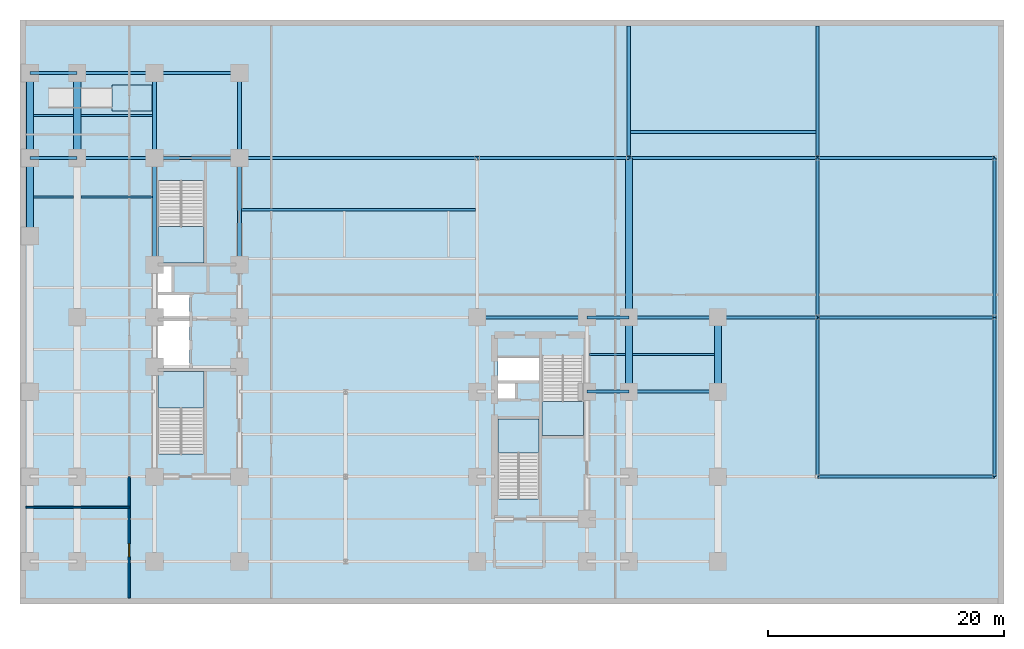
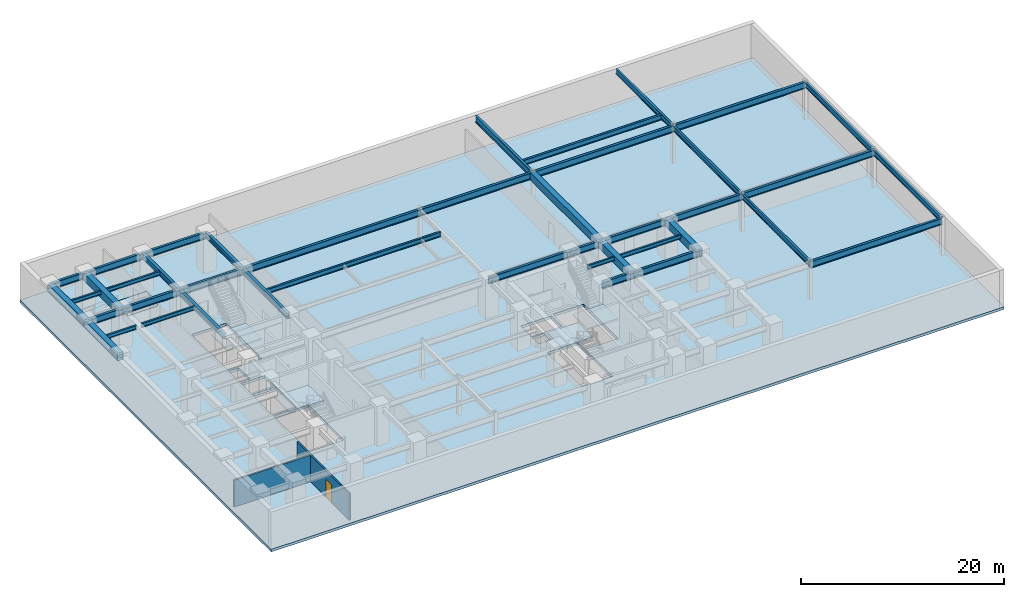
# One storey, part 4 of 9: 42 beams, 6 slabs, 2 walls, 1 door, 1 opening, 4 elements without a shape of their own.
"""IFC4 building model written with IfcOpenShell, lengths in metres."""

from ifc_helpers import new_model, entity, si_unit, converted_unit, direction, frame, origin_with_axes, origin_2d_with_axis, place, context, subcontext, project, spatial, polyline, rectangle, i_section, outline, extrude, material, layer, layer_set, material_profile, profile_set, type_object, element, fill, aggregate, save


model = new_model("IFC4")

# Units and contexts
model_context = context("Model", 3, precision=1e-05, world=origin_with_axes(), true_north=direction((0.0, 1.0)))
body_context = subcontext(model_context, "Body", "Model", "MODEL_VIEW")
ifc_project = project(units=[si_unit("LENGTHUNIT", "METRE"), si_unit("AREAUNIT", "SQUARE_METRE"), si_unit("VOLUMEUNIT", "CUBIC_METRE"), converted_unit("PLANEANGLEUNIT", "DEGREE", entity("IfcPlaneAngleMeasure", 0.017453292519943295), si_unit("PLANEANGLEUNIT", "RADIAN"), dimensions=[0, 0, 0, 0, 0, 0, 0]), si_unit("MASSUNIT", "GRAM", prefix="KILO"), si_unit("THERMODYNAMICTEMPERATUREUNIT", "KELVIN")], contexts=[model_context])

# Site, building, storey
site_placement = place(None, origin_with_axes())
site = spatial("IfcSite", under=ifc_project, at=site_placement, CompositionType="ELEMENT")
building_placement = place(site_placement, origin_with_axes())
building = spatial("IfcBuilding", under=site, at=building_placement, Name="Varnlund Millrace Tower", CompositionType="ELEMENT")
storey_placement = place(building_placement, frame((0.0, 0.0, -4.8), z_axis=(0.0, 0.0, 1.0), x_axis=(1.0, 0.0, 0.0)))
storey = spatial("IfcBuildingStorey", under=building, at=storey_placement, Name="B1", CompositionType="ELEMENT", Elevation=-4.8)

# Beams
ifc_material_1 = material(Name="Steel ASTM A992 Grade 50", Category="steel")
ifc_material_profile_1 = material_profile(ifc_material_1, i_section(OverallWidth=0.214, OverallDepth=0.549, WebThickness=0.0147, FlangeThickness=0.0236, FilletRadius=0.015, at=origin_2d_with_axis()), Name="Steel ASTM A992 Grade 50")
ifc_profile_set_1 = profile_set([ifc_material_profile_1], Name="Steel ASTM A992 Grade 50")
beam_type_1 = type_object("IfcBeamType", Name="Type-Beam-W21X93", PredefinedType="BEAM", material=ifc_profile_set_1)
beam_1_placement = place(storey_placement, frame((18.764, 33.425, 4.2055), z_axis=(1.0, 0.0, 0.0), x_axis=(0.0, 1.0, 0.0)))
element("IfcBeam", 1, at=beam_1_placement, inside=storey, type_object=beam_type_1, Name="Type-Beam-W21X93", PredefinedType="BEAM", context=body_context, shape_type="SweptSolid", body=[
    extrude(i_section(OverallWidth=0.214, OverallDepth=0.549, WebThickness=0.0147, FlangeThickness=0.0236, FilletRadius=0.015, at=origin_2d_with_axis()), origin_with_axes(), (0.0, 0.0, 1.0), 19.822),
])
ifc_material_profile_2 = material_profile(ifc_material_1, i_section(OverallWidth=0.228, OverallDepth=0.607, WebThickness=0.0112, FlangeThickness=0.0173, FilletRadius=0.015, at=origin_2d_with_axis()), Name="Steel ASTM A992 Grade 50")
ifc_profile_set_2 = profile_set([ifc_material_profile_2], Name="Steel ASTM A992 Grade 50")
beam_type_2 = type_object("IfcBeamType", Name="Type-Beam-W24X76", PredefinedType="BEAM", material=ifc_profile_set_2)
beam_2_placement = place(storey_placement, frame((67.6, 38.0, 4.1765), z_axis=(0.0, 1.0, 0.0), x_axis=(-1.0, 0.0, 0.0)))
element("IfcBeam", 2, at=beam_2_placement, inside=storey, type_object=beam_type_2, Name="Type-Beam-W24X76", PredefinedType="BEAM", context=body_context, shape_type="SweptSolid", body=[
    extrude(i_section(OverallWidth=0.228, OverallDepth=0.607, WebThickness=0.0112, FlangeThickness=0.0173, FilletRadius=0.015, at=origin_2d_with_axis()), origin_with_axes(), (0.0, 0.0, 1.0), 11.0),
])
beam_3_placement = place(storey_placement, frame((51.74, 40.0, 4.1765), z_axis=(1.0, 0.0, 0.0), x_axis=(0.0, 1.0, 0.0)))
element("IfcBeam", 3, at=beam_3_placement, inside=storey, type_object=beam_type_2, Name="Type-Beam-W24X76", PredefinedType="BEAM", context=body_context, shape_type="SweptSolid", body=[
    extrude(i_section(OverallWidth=0.228, OverallDepth=0.607, WebThickness=0.0112, FlangeThickness=0.0173, FilletRadius=0.015, at=origin_2d_with_axis()), origin_with_axes(), (0.0, 0.0, 1.0), 15.74),
])
for number, where, z_axis, x_axis, name in (
    (4, (67.6, 10.8, 4.1765), (0.0, 1.0, 0.0), (-1.0, 0.0, 0.0), "Type-Beam-W24X76"),
    (5, (67.6, 24.3, 4.1765), (0.0, 1.0, 0.0), (-1.0, 0.0, 0.0), "Type-Beam-W24X76"),
    (6, (82.6, 10.8, 4.1765), (0.0, 1.0, 0.0), (-1.0, 0.0, 0.0), "Type-Beam-W24X76"),
    (7, (82.6, 24.3, 4.1765), (0.0, 1.0, 0.0), (-1.0, 0.0, 0.0), "Type-Beam-W24X76"),
):
    element("IfcBeam", number, at=place(storey_placement, frame(where, z_axis=z_axis, x_axis=x_axis)), inside=storey, type_object=beam_type_2, Name=name, PredefinedType="BEAM", context=body_context, shape_type="SweptSolid", body=[
        extrude(i_section(OverallWidth=0.228, OverallDepth=0.607, WebThickness=0.0112, FlangeThickness=0.0173, FilletRadius=0.015, at=origin_2d_with_axis()), origin_with_axes(), (0.0, 0.0, 1.0), 13.5),
    ])
ifc_material_profile_3 = material_profile(ifc_material_1, i_section(OverallWidth=0.328, OverallDepth=0.628, WebThickness=0.0165, FlangeThickness=0.0277, FilletRadius=0.018, at=origin_2d_with_axis()), Name="Steel ASTM A992 Grade 50")
ifc_profile_set_3 = profile_set([ifc_material_profile_3], Name="Steel ASTM A992 Grade 50")
beam_type_3 = type_object("IfcBeamType", Name="Type-Girder-W24X146", PredefinedType="USERDEFINED", material=ifc_profile_set_3)
beam_4_placement = place(storey_placement, frame((11.4, 28.75, 4.166), z_axis=(0.0, 1.0, 0.0), x_axis=(-1.0, 0.0, 0.0)))
element("IfcBeam", 8, at=beam_4_placement, inside=storey, type_object=beam_type_3, Name="Type-Girder-W24X146", ObjectType="GIRDER", PredefinedType="USERDEFINED", context=body_context, shape_type="SweptSolid", body=[
    extrude(i_section(OverallWidth=0.328, OverallDepth=0.628, WebThickness=0.0165, FlangeThickness=0.0277, FilletRadius=0.018, at=origin_2d_with_axis()), origin_with_axes(), (0.0, 0.0, 1.0), 9.05),
])
beam_5_placement = place(storey_placement, frame((11.4, 37.8, 4.166), z_axis=(0.0, 1.0, 0.0), x_axis=(-1.0, 0.0, 0.0)))
element("IfcBeam", 9, at=beam_5_placement, inside=storey, type_object=beam_type_3, Name="Type-Girder-W24X146", ObjectType="GIRDER", PredefinedType="USERDEFINED", context=body_context, shape_type="SweptSolid", body=[
    extrude(i_section(OverallWidth=0.328, OverallDepth=0.628, WebThickness=0.0165, FlangeThickness=0.0277, FilletRadius=0.018, at=origin_2d_with_axis()), origin_with_axes(), (0.0, 0.0, 1.0), 7.2),
])
beam_6_placement = place(storey_placement, frame((18.6, 28.75, 4.166), z_axis=(0.0, 1.0, 0.0), x_axis=(-1.0, 0.0, 0.0)))
element("IfcBeam", 10, at=beam_6_placement, inside=storey, type_object=beam_type_3, Name="Type-Girder-W24X146", ObjectType="GIRDER", PredefinedType="USERDEFINED", context=body_context, shape_type="SweptSolid", body=[
    extrude(i_section(OverallWidth=0.328, OverallDepth=0.628, WebThickness=0.0165, FlangeThickness=0.0277, FilletRadius=0.018, at=origin_2d_with_axis()), origin_with_axes(), (0.0, 0.0, 1.0), 9.05),
])
beam_7_placement = place(storey_placement, frame((18.6, 37.8, 4.166), z_axis=(0.0, 1.0, 0.0), x_axis=(-1.0, 0.0, 0.0)))
element("IfcBeam", 11, at=beam_7_placement, inside=storey, type_object=beam_type_3, Name="Type-Girder-W24X146", ObjectType="GIRDER", PredefinedType="USERDEFINED", context=body_context, shape_type="SweptSolid", body=[
    extrude(i_section(OverallWidth=0.328, OverallDepth=0.628, WebThickness=0.0165, FlangeThickness=0.0277, FilletRadius=0.018, at=origin_2d_with_axis()), origin_with_axes(), (0.0, 0.0, 1.0), 7.2),
])
ifc_material_profile_4 = material_profile(ifc_material_1, i_section(OverallWidth=0.266, OverallDepth=0.779, WebThickness=0.0165, FlangeThickness=0.03, FilletRadius=0.02, at=origin_2d_with_axis()), Name="Steel ASTM A992 Grade 50")
ifc_profile_set_4 = profile_set([ifc_material_profile_4], Name="Steel ASTM A992 Grade 50")
beam_type_4 = type_object("IfcBeamType", Name="Type-Girder-W30X148", PredefinedType="USERDEFINED", material=ifc_profile_set_4)
beam_8_placement = place(storey_placement, frame((51.6, 38.0, 4.0905), z_axis=(0.0, 1.0, 0.0), x_axis=(-1.0, 0.0, 0.0)))
element("IfcBeam", 12, at=beam_8_placement, inside=storey, type_object=beam_type_4, Name="Type-Girder-W30X148", ObjectType="GIRDER", PredefinedType="USERDEFINED", context=body_context, shape_type="SweptSolid", body=[
    extrude(i_section(OverallWidth=0.266, OverallDepth=0.779, WebThickness=0.0165, FlangeThickness=0.03, FilletRadius=0.02, at=origin_2d_with_axis()), origin_with_axes(), (0.0, 0.0, 1.0), 11.0),
])
beam_9_placement = place(storey_placement, frame((67.6, 10.8, 4.0905), z_axis=(1.0, 0.0, 0.0), x_axis=(0.0, 1.0, 0.0)))
element("IfcBeam", 13, at=beam_9_placement, inside=storey, type_object=beam_type_4, Name="Type-Girder-W30X148", ObjectType="GIRDER", PredefinedType="USERDEFINED", context=body_context, shape_type="SweptSolid", body=[
    extrude(i_section(OverallWidth=0.266, OverallDepth=0.779, WebThickness=0.0165, FlangeThickness=0.03, FilletRadius=0.02, at=origin_2d_with_axis()), origin_with_axes(), (0.0, 0.0, 1.0), 15.0),
])
beam_10_placement = place(storey_placement, frame((48.05, 18.0, 4.0905), z_axis=(1.0, 0.0, 0.0), x_axis=(0.0, 1.0, 0.0)))
element("IfcBeam", 14, at=beam_10_placement, inside=storey, type_object=beam_type_4, Name="Type-Girder-W30X148", ObjectType="GIRDER", PredefinedType="USERDEFINED", context=body_context, shape_type="SweptSolid", body=[
    extrude(i_section(OverallWidth=0.266, OverallDepth=0.779, WebThickness=0.0165, FlangeThickness=0.03, FilletRadius=0.02, at=origin_2d_with_axis()), origin_with_axes(), (0.0, 0.0, 1.0), 3.55),
])
beam_11_placement = place(storey_placement, frame((51.6, 18.0, 4.0905), z_axis=(1.0, 0.0, 0.0), x_axis=(0.0, 1.0, 0.0)))
element("IfcBeam", 15, at=beam_11_placement, inside=storey, type_object=beam_type_4, Name="Type-Girder-W30X148", ObjectType="GIRDER", PredefinedType="USERDEFINED", context=body_context, shape_type="SweptSolid", body=[
    extrude(i_section(OverallWidth=0.266, OverallDepth=0.779, WebThickness=0.0165, FlangeThickness=0.03, FilletRadius=0.02, at=origin_2d_with_axis()), origin_with_axes(), (0.0, 0.0, 1.0), 7.55),
])
beam_12_placement = place(storey_placement, frame((38.75, 24.3, 4.0905), z_axis=(1.0, 0.0, 0.0), x_axis=(0.0, 1.0, 0.0)))
element("IfcBeam", 16, at=beam_12_placement, inside=storey, type_object=beam_type_4, Name="Type-Girder-W30X148", ObjectType="GIRDER", PredefinedType="USERDEFINED", context=body_context, shape_type="SweptSolid", body=[
    extrude(i_section(OverallWidth=0.266, OverallDepth=0.779, WebThickness=0.0165, FlangeThickness=0.03, FilletRadius=0.02, at=origin_2d_with_axis()), origin_with_axes(), (0.0, 0.0, 1.0), 9.3),
])
beam_13_placement = place(storey_placement, frame((48.05, 24.3, 4.0905), z_axis=(1.0, 0.0, 0.0), x_axis=(0.0, 1.0, 0.0)))
element("IfcBeam", 17, at=beam_13_placement, inside=storey, type_object=beam_type_4, Name="Type-Girder-W30X148", ObjectType="GIRDER", PredefinedType="USERDEFINED", context=body_context, shape_type="SweptSolid", body=[
    extrude(i_section(OverallWidth=0.266, OverallDepth=0.779, WebThickness=0.0165, FlangeThickness=0.03, FilletRadius=0.02, at=origin_2d_with_axis()), origin_with_axes(), (0.0, 0.0, 1.0), 3.55),
])
beam_14_placement = place(storey_placement, frame((51.6, 24.3, 4.0905), z_axis=(1.0, 0.0, 0.0), x_axis=(0.0, 1.0, 0.0)))
element("IfcBeam", 18, at=beam_14_placement, inside=storey, type_object=beam_type_4, Name="Type-Girder-W30X148", ObjectType="GIRDER", PredefinedType="USERDEFINED", context=body_context, shape_type="SweptSolid", body=[
    extrude(i_section(OverallWidth=0.266, OverallDepth=0.779, WebThickness=0.0165, FlangeThickness=0.03, FilletRadius=0.02, at=origin_2d_with_axis()), origin_with_axes(), (0.0, 0.0, 1.0), 7.55),
])
beam_15_placement = place(storey_placement, frame((59.15, 24.3, 4.0905), z_axis=(1.0, 0.0, 0.0), x_axis=(0.0, 1.0, 0.0)))
element("IfcBeam", 19, at=beam_15_placement, inside=storey, type_object=beam_type_4, Name="Type-Girder-W30X148", ObjectType="GIRDER", PredefinedType="USERDEFINED", context=body_context, shape_type="SweptSolid", body=[
    extrude(i_section(OverallWidth=0.266, OverallDepth=0.779, WebThickness=0.0165, FlangeThickness=0.03, FilletRadius=0.02, at=origin_2d_with_axis()), origin_with_axes(), (0.0, 0.0, 1.0), 8.45),
])
beam_16_placement = place(storey_placement, frame((67.6, 24.3, 4.0905), z_axis=(1.0, 0.0, 0.0), x_axis=(0.0, 1.0, 0.0)))
element("IfcBeam", 20, at=beam_16_placement, inside=storey, type_object=beam_type_4, Name="Type-Girder-W30X148", ObjectType="GIRDER", PredefinedType="USERDEFINED", context=body_context, shape_type="SweptSolid", body=[
    extrude(i_section(OverallWidth=0.266, OverallDepth=0.779, WebThickness=0.0165, FlangeThickness=0.03, FilletRadius=0.02, at=origin_2d_with_axis()), origin_with_axes(), (0.0, 0.0, 1.0), 15.0),
])
beam_17_placement = place(storey_placement, frame((0.85, 37.8, 4.0905), z_axis=(1.0, 0.0, 0.0), x_axis=(0.0, 1.0, 0.0)))
element("IfcBeam", 21, at=beam_17_placement, inside=storey, type_object=beam_type_4, Name="Type-Girder-W30X148", ObjectType="GIRDER", PredefinedType="USERDEFINED", context=body_context, shape_type="SweptSolid", body=[
    extrude(i_section(OverallWidth=0.266, OverallDepth=0.779, WebThickness=0.0165, FlangeThickness=0.03, FilletRadius=0.02, at=origin_2d_with_axis()), origin_with_axes(), (0.0, 0.0, 1.0), 4.0),
])
beam_18_placement = place(storey_placement, frame((4.85, 37.8, 4.0905), z_axis=(1.0, 0.0, 0.0), x_axis=(0.0, 1.0, 0.0)))
element("IfcBeam", 22, at=beam_18_placement, inside=storey, type_object=beam_type_4, Name="Type-Girder-W30X148", ObjectType="GIRDER", PredefinedType="USERDEFINED", context=body_context, shape_type="SweptSolid", body=[
    extrude(i_section(OverallWidth=0.266, OverallDepth=0.779, WebThickness=0.0165, FlangeThickness=0.03, FilletRadius=0.02, at=origin_2d_with_axis()), origin_with_axes(), (0.0, 0.0, 1.0), 6.55),
])
beam_19_placement = place(storey_placement, frame((11.4, 37.8, 4.0905), z_axis=(1.0, 0.0, 0.0), x_axis=(0.0, 1.0, 0.0)))
element("IfcBeam", 23, at=beam_19_placement, inside=storey, type_object=beam_type_4, Name="Type-Girder-W30X148", ObjectType="GIRDER", PredefinedType="USERDEFINED", context=body_context, shape_type="SweptSolid", body=[
    extrude(i_section(OverallWidth=0.266, OverallDepth=0.779, WebThickness=0.0165, FlangeThickness=0.03, FilletRadius=0.02, at=origin_2d_with_axis()), origin_with_axes(), (0.0, 0.0, 1.0), 7.2),
])
beam_20_placement = place(storey_placement, frame((18.6, 37.8, 4.0905), z_axis=(1.0, 0.0, 0.0), x_axis=(0.0, 1.0, 0.0)))
element("IfcBeam", 24, at=beam_20_placement, inside=storey, type_object=beam_type_4, Name="Type-Girder-W30X148", ObjectType="GIRDER", PredefinedType="USERDEFINED", context=body_context, shape_type="SweptSolid", body=[
    extrude(i_section(OverallWidth=0.266, OverallDepth=0.779, WebThickness=0.0165, FlangeThickness=0.03, FilletRadius=0.02, at=origin_2d_with_axis()), origin_with_axes(), (0.0, 0.0, 1.0), 20.15),
])
beam_21_placement = place(storey_placement, frame((38.75, 37.8, 4.0905), z_axis=(1.0, 0.0, 0.0), x_axis=(0.0, 1.0, 0.0)))
element("IfcBeam", 25, at=beam_21_placement, inside=storey, type_object=beam_type_4, Name="Type-Girder-W30X148", ObjectType="GIRDER", PredefinedType="USERDEFINED", context=body_context, shape_type="SweptSolid", body=[
    extrude(i_section(OverallWidth=0.266, OverallDepth=0.779, WebThickness=0.0165, FlangeThickness=0.03, FilletRadius=0.02, at=origin_2d_with_axis()), origin_with_axes(), (0.0, 0.0, 1.0), 12.85),
])
beam_22_placement = place(storey_placement, frame((51.6, 37.8, 4.0905), z_axis=(1.0, 0.0, 0.0), x_axis=(0.0, 1.0, 0.0)))
element("IfcBeam", 26, at=beam_22_placement, inside=storey, type_object=beam_type_4, Name="Type-Girder-W30X148", ObjectType="GIRDER", PredefinedType="USERDEFINED", context=body_context, shape_type="SweptSolid", body=[
    extrude(i_section(OverallWidth=0.266, OverallDepth=0.779, WebThickness=0.0165, FlangeThickness=0.03, FilletRadius=0.02, at=origin_2d_with_axis()), origin_with_axes(), (0.0, 0.0, 1.0), 16.0),
])
beam_23_placement = place(storey_placement, frame((67.6, 37.8, 4.0905), z_axis=(1.0, 0.0, 0.0), x_axis=(0.0, 1.0, 0.0)))
element("IfcBeam", 27, at=beam_23_placement, inside=storey, type_object=beam_type_4, Name="Type-Girder-W30X148", ObjectType="GIRDER", PredefinedType="USERDEFINED", context=body_context, shape_type="SweptSolid", body=[
    extrude(i_section(OverallWidth=0.266, OverallDepth=0.779, WebThickness=0.0165, FlangeThickness=0.03, FilletRadius=0.02, at=origin_2d_with_axis()), origin_with_axes(), (0.0, 0.0, 1.0), 15.0),
])
beam_24_placement = place(storey_placement, frame((0.85, 45.0, 4.0905), z_axis=(1.0, 0.0, 0.0), x_axis=(0.0, 1.0, 0.0)))
element("IfcBeam", 28, at=beam_24_placement, inside=storey, type_object=beam_type_4, Name="Type-Girder-W30X148", ObjectType="GIRDER", PredefinedType="USERDEFINED", context=body_context, shape_type="SweptSolid", body=[
    extrude(i_section(OverallWidth=0.266, OverallDepth=0.779, WebThickness=0.0165, FlangeThickness=0.03, FilletRadius=0.02, at=origin_2d_with_axis()), origin_with_axes(), (0.0, 0.0, 1.0), 4.0),
])
beam_25_placement = place(storey_placement, frame((4.85, 45.0, 4.0905), z_axis=(1.0, 0.0, 0.0), x_axis=(0.0, 1.0, 0.0)))
element("IfcBeam", 29, at=beam_25_placement, inside=storey, type_object=beam_type_4, Name="Type-Girder-W30X148", ObjectType="GIRDER", PredefinedType="USERDEFINED", context=body_context, shape_type="SweptSolid", body=[
    extrude(i_section(OverallWidth=0.266, OverallDepth=0.779, WebThickness=0.0165, FlangeThickness=0.03, FilletRadius=0.02, at=origin_2d_with_axis()), origin_with_axes(), (0.0, 0.0, 1.0), 6.55),
])
beam_26_placement = place(storey_placement, frame((11.4, 45.0, 4.0905), z_axis=(1.0, 0.0, 0.0), x_axis=(0.0, 1.0, 0.0)))
element("IfcBeam", 30, at=beam_26_placement, inside=storey, type_object=beam_type_4, Name="Type-Girder-W30X148", ObjectType="GIRDER", PredefinedType="USERDEFINED", context=body_context, shape_type="SweptSolid", body=[
    extrude(i_section(OverallWidth=0.266, OverallDepth=0.779, WebThickness=0.0165, FlangeThickness=0.03, FilletRadius=0.02, at=origin_2d_with_axis()), origin_with_axes(), (0.0, 0.0, 1.0), 7.2),
])
ifc_material_profile_5 = material_profile(ifc_material_1, i_section(OverallWidth=0.191, OverallDepth=0.457, WebThickness=0.009, FlangeThickness=0.0145, FilletRadius=0.013, at=origin_2d_with_axis()), Name="Steel ASTM A992 Grade 50")
ifc_profile_set_5 = profile_set([ifc_material_profile_5], Name="Steel ASTM A992 Grade 50")
beam_type_5 = type_object("IfcBeamType", Name="Type-Joist-W18X50", PredefinedType="JOIST", material=ifc_profile_set_5)
for number, where, z_axis, x_axis, name in (
    (31, (1.15, 34.5, 4.2515), (1.0, 0.0, 0.0), (0.0, 1.0, 0.0), "Type-Joist-W18X50"),
    (32, (1.15, 41.4, 4.2515), (1.0, 0.0, 0.0), (0.0, 1.0, 0.0), "Type-Joist-W18X50"),
):
    element("IfcBeam", number, at=place(storey_placement, frame(where, z_axis=z_axis, x_axis=x_axis)), inside=storey, type_object=beam_type_5, Name=name, PredefinedType="JOIST", context=body_context, shape_type="SweptSolid", body=[
        extrude(i_section(OverallWidth=0.191, OverallDepth=0.457, WebThickness=0.009, FlangeThickness=0.0145, FilletRadius=0.013, at=origin_2d_with_axis()), origin_with_axes(), (0.0, 0.0, 1.0), 3.4),
    ])
for number, where, z_axis, x_axis, name in (
    (33, (5.15, 34.5, 4.2515), (1.0, 0.0, 0.0), (0.0, 1.0, 0.0), "Type-Joist-W18X50"),
    (34, (5.15, 41.4, 4.2515), (1.0, 0.0, 0.0), (0.0, 1.0, 0.0), "Type-Joist-W18X50"),
):
    element("IfcBeam", number, at=place(storey_placement, frame(where, z_axis=z_axis, x_axis=x_axis)), inside=storey, type_object=beam_type_5, Name=name, PredefinedType="JOIST", context=body_context, shape_type="SweptSolid", body=[
        extrude(i_section(OverallWidth=0.191, OverallDepth=0.457, WebThickness=0.009, FlangeThickness=0.0145, FilletRadius=0.013, at=origin_2d_with_axis()), origin_with_axes(), (0.0, 0.0, 1.0), 6.086),
    ])
beam_27_placement = place(storey_placement, frame((48.214, 21.15, 4.2515), z_axis=(1.0, 0.0, 0.0), x_axis=(0.0, 1.0, 0.0)))
element("IfcBeam", 35, at=beam_27_placement, inside=storey, type_object=beam_type_5, Name="Type-Joist-W18X50", PredefinedType="JOIST", context=body_context, shape_type="SweptSolid", body=[
    extrude(i_section(OverallWidth=0.191, OverallDepth=0.457, WebThickness=0.009, FlangeThickness=0.0145, FilletRadius=0.013, at=origin_2d_with_axis()), origin_with_axes(), (0.0, 0.0, 1.0), 3.086),
])
beam_28_placement = place(storey_placement, frame((51.9, 21.15, 4.2515), z_axis=(1.0, 0.0, 0.0), x_axis=(0.0, 1.0, 0.0)))
element("IfcBeam", 36, at=beam_28_placement, inside=storey, type_object=beam_type_5, Name="Type-Joist-W18X50", PredefinedType="JOIST", context=body_context, shape_type="SweptSolid", body=[
    extrude(i_section(OverallWidth=0.191, OverallDepth=0.457, WebThickness=0.009, FlangeThickness=0.0145, FilletRadius=0.013, at=origin_2d_with_axis()), origin_with_axes(), (0.0, 0.0, 1.0), 6.95),
])
ifc_material_2 = material(Name="Concrete C70/85", Category="concrete")
ifc_material_profile_6 = material_profile(ifc_material_2, rectangle(XDim=0.6, YDim=0.9, at=origin_2d_with_axis()), Name="Concrete C70/85")
ifc_profile_set_6 = profile_set([ifc_material_profile_6], Name="Concrete C70/85")
beam_type_6 = type_object("IfcBeamType", Name="Type-Spandrel-RC600X900", PredefinedType="SPANDREL", material=ifc_profile_set_6)
beam_29_placement = place(storey_placement, frame((0.85, 31.2, 4.03), z_axis=(0.0, 1.0, 0.0), x_axis=(-1.0, 0.0, 0.0)))
element("IfcBeam", 37, at=beam_29_placement, inside=storey, type_object=beam_type_6, Name="Type-Spandrel-RC600X900", PredefinedType="SPANDREL", context=body_context, shape_type="SweptSolid", body=[
    extrude(rectangle(XDim=0.6, YDim=0.9, at=origin_2d_with_axis()), origin_with_axes(), (0.0, 0.0, 1.0), 6.6),
])
for number, where, z_axis, x_axis, name in (
    (38, (0.85, 37.8, 4.03), (0.0, 1.0, 0.0), (-1.0, 0.0, 0.0), "Type-Spandrel-RC600X900"),
    (39, (4.85, 37.8, 4.03), (0.0, 1.0, 0.0), (-1.0, 0.0, 0.0), "Type-Spandrel-RC600X900"),
):
    element("IfcBeam", number, at=place(storey_placement, frame(where, z_axis=z_axis, x_axis=x_axis)), inside=storey, type_object=beam_type_6, Name=name, PredefinedType="SPANDREL", context=body_context, shape_type="SweptSolid", body=[
        extrude(rectangle(XDim=0.6, YDim=0.9, at=origin_2d_with_axis()), origin_with_axes(), (0.0, 0.0, 1.0), 7.2),
    ])
beam_30_placement = place(storey_placement, frame((51.6, 18.0, 4.03), z_axis=(0.0, 1.0, 0.0), x_axis=(-1.0, 0.0, 0.0)))
element("IfcBeam", 40, at=beam_30_placement, inside=storey, type_object=beam_type_6, Name="Type-Spandrel-RC600X900", PredefinedType="SPANDREL", context=body_context, shape_type="SweptSolid", body=[
    extrude(rectangle(XDim=0.6, YDim=0.9, at=origin_2d_with_axis()), origin_with_axes(), (0.0, 0.0, 1.0), 6.3),
])
beam_31_placement = place(storey_placement, frame((51.6, 24.3, 4.03), z_axis=(0.0, 1.0, 0.0), x_axis=(-1.0, 0.0, 0.0)))
element("IfcBeam", 41, at=beam_31_placement, inside=storey, type_object=beam_type_6, Name="Type-Spandrel-RC600X900", PredefinedType="SPANDREL", context=body_context, shape_type="SweptSolid", body=[
    extrude(rectangle(XDim=0.6, YDim=0.9, at=origin_2d_with_axis()), origin_with_axes(), (0.0, 0.0, 1.0), 13.5),
])
beam_32_placement = place(storey_placement, frame((59.15, 18.0, 4.03), z_axis=(0.0, 1.0, 0.0), x_axis=(-1.0, 0.0, 0.0)))
element("IfcBeam", 42, at=beam_32_placement, inside=storey, type_object=beam_type_6, Name="Type-Spandrel-RC600X900", PredefinedType="SPANDREL", context=body_context, shape_type="SweptSolid", body=[
    extrude(rectangle(XDim=0.6, YDim=0.9, at=origin_2d_with_axis()), origin_with_axes(), (0.0, 0.0, 1.0), 6.3),
])

# Slabs
ifc_material_3 = material(Name="Concrete C60/75", Category="concrete")
ifc_layer_1 = layer(ifc_material_3, 0.32, Name="Concrete C60/75")
ifc_layer_set_1 = layer_set([ifc_layer_1], Name="Concrete C60/75")
slab_type_1 = type_object("IfcSlabType", Name="Type-Deck-Plate-Subgrade-320", PredefinedType="FLOOR", material=ifc_layer_set_1)
slab_1_placement = place(storey_placement, frame((0.0, 0.0, -0.32), z_axis=(0.0, 0.0, 1.0), x_axis=(1.0, 0.0, 0.0)))
element("IfcSlab", 43, at=slab_1_placement, inside=storey, type_object=slab_type_1, Name="Type-Deck-Plate-Subgrade-320", PredefinedType="FLOOR", context=body_context, shape_type="SweptSolid", body=[
    extrude(outline(polyline([(83.4, 0.0), (83.4, 49.5), (0.0, 49.5), (0.0, 0.0), (83.4, 0.0)]), holes=[polyline([(44.0, 15.7), (44.0, 8.915), (40.5, 8.915), (40.5, 15.7), (44.0, 15.7)]), polyline([(15.6, 19.7), (15.6, 12.715), (11.7, 12.715), (11.7, 19.7), (15.6, 19.7)]), polyline([(47.75, 21.085), (47.75, 14.3), (44.25, 14.3), (44.25, 21.085), (47.75, 21.085)]), polyline([(41.95, 17.42), (40.5, 17.42), (40.5, 18.72), (41.95, 18.72), (41.95, 17.42)]), polyline([(44.0, 18.88), (40.5, 18.88), (40.5, 20.94), (44.0, 20.94), (44.0, 18.88)]), polyline([(11.7, 19.94), (11.7, 23.98), (14.38, 23.98), (14.38, 19.94), (11.7, 19.94)]), polyline([(14.38, 26.2), (14.38, 24.24), (11.7, 24.24), (11.7, 26.2), (14.38, 26.2)]), polyline([(12.84, 26.46), (11.7, 26.46), (11.7, 28.65), (12.84, 28.65), (12.84, 26.46)]), polyline([(15.6, 28.9), (11.7, 28.9), (11.7, 35.885), (15.6, 35.885), (15.6, 28.9)])]), origin_with_axes(), (0.0, 0.0, 1.0), 0.32),
])
ifc_material_4 = material(Name="Concrete C50/60", Category="concrete")
ifc_layer_2 = layer(ifc_material_4, 0.45, Name="Concrete C50/60")
ifc_layer_set_2 = layer_set([ifc_layer_2], Name="Concrete C50/60")
slab_type_2 = type_object("IfcSlabType", Name="Type-Mat-Foundation-450", PredefinedType="BASESLAB", material=ifc_layer_set_2)
slab_2_placement = place(storey_placement, origin_with_axes())
element("IfcSlab", 44, at=slab_2_placement, inside=storey, type_object=slab_type_2, Name="Type-Mat-Foundation-450", PredefinedType="BASESLAB", context=body_context, shape_type="SweptSolid", body=[
    extrude(outline(polyline([(7.8, 41.8), (11.2, 41.8), (11.2, 44.0), (7.8, 44.0), (7.8, 41.8)])), origin_with_axes(), (0.0, 0.0, 1.0), 0.45),
])

# Stair, slab
stair_type_1 = type_object("IfcStairType", Name="Type-Stair-Dogleg-185-480", PredefinedType="HALF_TURN_STAIR", material=ifc_material_4)
stair_1_placement = place(storey_placement, origin_with_axes())
stair_1 = element("IfcStair", 45, at=stair_1_placement, inside=storey, type_object=stair_type_1, Name="Type-Stair-Dogleg-185-480", PredefinedType="HALF_TURN_STAIR")
ifc_layer_3 = layer(ifc_material_4, 0.2, Name="Concrete C50/60")
ifc_layer_set_3 = layer_set([ifc_layer_3], Name="Concrete C50/60")
slab_type_3 = type_object("IfcSlabType", Name="Type-StairLanding-200", PredefinedType="LANDING", material=ifc_layer_set_3)
slab_3_placement = place(storey_placement, frame((0.0, 0.0, 2.2), z_axis=(0.0, 0.0, 1.0), x_axis=(1.0, 0.0, 0.0)))
slab_3 = element("IfcSlab", 46, at=slab_3_placement, type_object=slab_type_3, Name="ST-A1 landing 1", PredefinedType="LANDING", context=body_context, shape_type="SweptSolid", body=[
    extrude(outline(polyline([(15.6, 16.62), (15.6, 19.7), (11.7, 19.7), (11.7, 16.62), (15.6, 16.62)])), origin_with_axes(), (0.0, 0.0, 1.0), 0.2),
])
aggregate(stair_1, [slab_3])

stair_2_placement = place(storey_placement, origin_with_axes())
stair_2 = element("IfcStair", 47, at=stair_2_placement, inside=storey, type_object=stair_type_1, Name="Type-Stair-Dogleg-185-480", PredefinedType="HALF_TURN_STAIR")
slab_4_placement = place(storey_placement, frame((0.0, 0.0, 2.2), z_axis=(0.0, 0.0, 1.0), x_axis=(1.0, 0.0, 0.0)))
slab_4 = element("IfcSlab", 48, at=slab_4_placement, type_object=slab_type_3, Name="ST-A2 landing 1", PredefinedType="LANDING", context=body_context, shape_type="SweptSolid", body=[
    extrude(outline(polyline([(11.7, 31.98), (11.7, 28.9), (15.6, 28.9), (15.6, 31.98), (11.7, 31.98)])), origin_with_axes(), (0.0, 0.0, 1.0), 0.2),
])
aggregate(stair_2, [slab_4])

stair_type_2 = type_object("IfcStairType", Name="Type-Stair-Dogleg-165-480", PredefinedType="HALF_TURN_STAIR", material=ifc_material_4)
stair_3_placement = place(storey_placement, origin_with_axes())
stair_3 = element("IfcStair", 49, at=stair_3_placement, inside=storey, type_object=stair_type_2, Name="Type-Stair-Dogleg-165-480", PredefinedType="HALF_TURN_STAIR")
slab_5_placement = place(storey_placement, frame((0.0, 0.0, 2.2), z_axis=(0.0, 0.0, 1.0), x_axis=(1.0, 0.0, 0.0)))
slab_5 = element("IfcSlab", 50, at=slab_5_placement, type_object=slab_type_3, Name="ST-B1 landing 1", PredefinedType="LANDING", context=body_context, shape_type="SweptSolid", body=[
    extrude(outline(polyline([(44.0, 12.82), (44.0, 15.7), (40.5, 15.7), (40.5, 12.82), (44.0, 12.82)])), origin_with_axes(), (0.0, 0.0, 1.0), 0.2),
])
aggregate(stair_3, [slab_5])

stair_4_placement = place(storey_placement, origin_with_axes())
stair_4 = element("IfcStair", 51, at=stair_4_placement, inside=storey, type_object=stair_type_2, Name="Type-Stair-Dogleg-165-480", PredefinedType="HALF_TURN_STAIR")
slab_6_placement = place(storey_placement, frame((0.0, 0.0, 2.2), z_axis=(0.0, 0.0, 1.0), x_axis=(1.0, 0.0, 0.0)))
slab_6 = element("IfcSlab", 52, at=slab_6_placement, type_object=slab_type_3, Name="ST-B2 landing 1", PredefinedType="LANDING", context=body_context, shape_type="SweptSolid", body=[
    extrude(outline(polyline([(44.25, 17.18), (44.25, 14.3), (47.75, 14.3), (47.75, 17.18), (44.25, 17.18)])), origin_with_axes(), (0.0, 0.0, 1.0), 0.2),
])
aggregate(stair_4, [slab_6])

# Wall, opening, door
ifc_material_5 = material(Name="Fire-rated gypsum board on cold-formed steel framing", Category="steel")
ifc_layer_4 = layer(ifc_material_5, 0.16, Name="Fire-rated gypsum board on cold-formed steel framing")
ifc_layer_set_4 = layer_set([ifc_layer_4], Name="Fire-rated gypsum board on cold-formed steel framing")
wall_type = type_object("IfcWallType", Name="Type-Partition-Corridor-160", PredefinedType="PARTITIONING", material=ifc_layer_set_4)
wall_1_placement = place(storey_placement, frame((9.25, 0.5, 0.0), z_axis=(0.0, 0.0, 1.0), x_axis=(0.0, 1.0, 0.0)))
wall_1 = element("IfcWall", 53, at=wall_1_placement, inside=storey, type_object=wall_type, Name="Type-Partition-Corridor-160", PredefinedType="PARTITIONING", context=body_context, shape_type="SweptSolid", body=[
    extrude(outline(polyline([(0.0, -0.08), (10.3, -0.08), (10.3, 0.08), (0.0, 0.08), (0.0, -0.08)])), origin_with_axes(), (0.0, 0.0, 1.0), 3.2),
])
opening_placement = place(wall_1_placement, frame((4.05, 0.0, 0.0), z_axis=(0.0, 0.0, 1.0), x_axis=(1.0, 0.0, 0.0)))
opening = element("IfcOpeningElement", 54, at=opening_placement, cuts=wall_1, Name="Opening B1:DR-BIC", PredefinedType="OPENING", context=body_context, shape_type="SweptSolid", body=[
    extrude(rectangle(XDim=1.1, YDim=0.18, at=origin_2d_with_axis()), origin_with_axes(), (0.0, 0.0, 1.0), 2.15),
])
ifc_material_6 = material(Name="Fire-rated mechanical room steel door", Category="steel")
door_type = type_object("IfcDoorType", Name="Type-FireDoor-Plant-1100X2150", OperationType="NOTDEFINED", PredefinedType="DOOR", material=ifc_material_6)
door_placement = place(wall_1_placement, frame((4.05, 0.0, 0.0), z_axis=(0.0, 0.0, 1.0), x_axis=(1.0, 0.0, 0.0)))
door = element("IfcDoor", 55, at=door_placement, inside=storey, type_object=door_type, Name="Type-FireDoor-Plant-1100X2150", OperationType="SINGLE_SWING_RIGHT", OverallHeight=2.15, OverallWidth=1.1, PredefinedType="DOOR", context=body_context, shape_type="SweptSolid", body=[
    extrude(rectangle(XDim=1.1, YDim=0.09, at=origin_2d_with_axis()), origin_with_axes(), (0.0, 0.0, 1.0), 2.15),
])
fill(opening, door)

# Wall
wall_2_placement = place(storey_placement, frame((0.5, 8.2, 0.0), z_axis=(0.0, 0.0, 1.0), x_axis=(1.0, 0.0, 0.0)))
element("IfcWall", 56, at=wall_2_placement, inside=storey, type_object=wall_type, Name="Type-Partition-Corridor-160", PredefinedType="PARTITIONING", context=body_context, shape_type="SweptSolid", body=[
    extrude(outline(polyline([(0.0, -0.08), (8.75, -0.08), (8.75, 0.08), (0.0, 0.08), (0.0, -0.08)])), origin_with_axes(), (0.0, 0.0, 1.0), 3.2),
])

save(model, "model.ifc")
